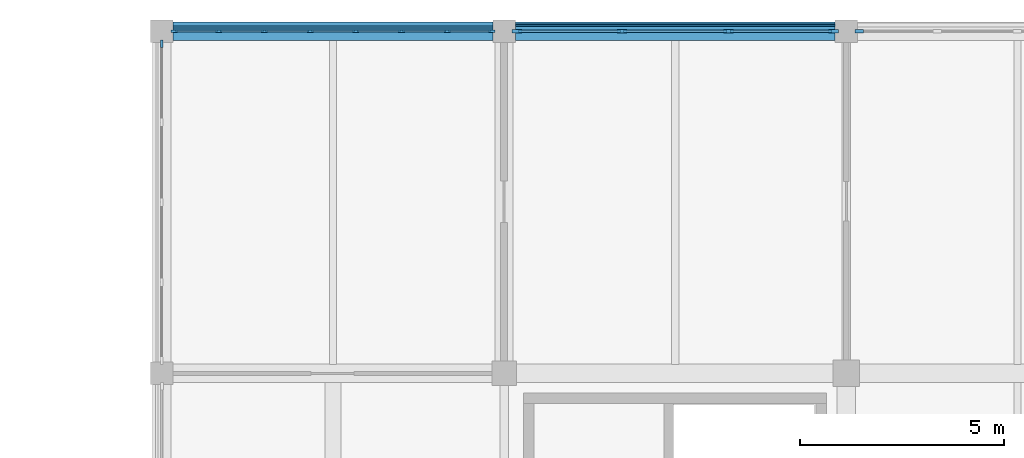
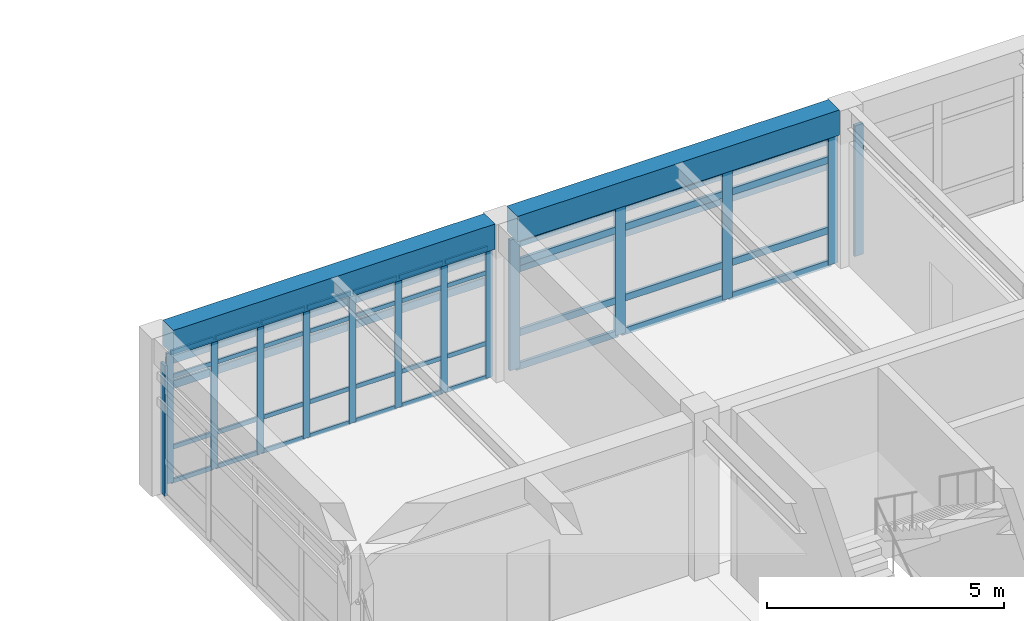
# One storey, part 5 of 18: 58 members, 2 beams, 4 elements without a shape of their own.
"""IFC4 building model written with IfcOpenShell, lengths in metres."""

from ifc_helpers import new_model, si_unit, direction, frame, origin, origin_2d, place, context, subcontext, project, spatial, rectangle, extrude, material, layer, layer_set, material_profile, profile_set, type_object, element, aggregate, save


model = new_model("IFC4")

# Units and contexts
model_context = context("Model", 3, precision=1e-05, world=origin(), true_north=direction((0.0, 1.0)))
body_context = subcontext(model_context, "Body", "Model", "MODEL_VIEW")
ifc_project = project(units=[si_unit("LENGTHUNIT", "METRE"), si_unit("AREAUNIT", "SQUARE_METRE"), si_unit("VOLUMEUNIT", "CUBIC_METRE"), si_unit("PLANEANGLEUNIT", "RADIAN"), si_unit("MASSUNIT", "GRAM", prefix="KILO")], contexts=[model_context])

# Site, building, storey
site_placement = place(None, origin())
site = spatial("IfcSite", under=ifc_project, at=site_placement, CompositionType="ELEMENT")
building_placement = place(site_placement, origin())
building = spatial("IfcBuilding", under=site, at=building_placement, Name="Porcellanite Civic Hall", CompositionType="ELEMENT")
storey_placement = place(building_placement, frame((0.0, 0.0, 23.39990234375)))
storey = spatial("IfcBuildingStorey", under=building, at=storey_placement, Name="L05", CompositionType="ELEMENT", Elevation=23.39990234375)

# Beams
ifc_material_1 = material(Name="Concrete N50 (50 MPa)", Category="concrete")
ifc_material_profile_1 = material_profile(ifc_material_1, rectangle(XDim=0.449951171875, YDim=0.64990234375, at=origin_2d()), Name="RC-450x650")
ifc_profile_set_1 = profile_set([ifc_material_profile_1], Name="Concrete N50 (50 MPa)")
beam_type = type_object("IfcBeamType", Name="BM-RC650", PredefinedType="SPANDREL", material=ifc_profile_set_1)
beam_1_placement = place(storey_placement, frame((42.2744140625, 117.60009765625, 3.7451171875), z_axis=(1.0, 0.0, 0.0), x_axis=(0.0, 1.0, 0.0)))
element("IfcBeam", 1, at=beam_1_placement, inside=storey, type_object=beam_type, Name="Beam X L05 6-15", PredefinedType="SPANDREL", context=body_context, shape_type="SweptSolid", body=[
    extrude(rectangle(XDim=0.449951171875, YDim=0.64990234375, at=origin_2d()), origin(), (0.0, 0.0, 1.0), 7.85107421875),
])
beam_2_placement = place(storey_placement, frame((50.674560546875, 117.60009765625, 3.7451171875), z_axis=(1.0, 0.0, 0.0), x_axis=(0.0, 1.0, 0.0)))
element("IfcBeam", 2, at=beam_2_placement, inside=storey, type_object=beam_type, Name="Beam X L05 7-15", PredefinedType="SPANDREL", context=body_context, shape_type="SweptSolid", body=[
    extrude(rectangle(XDim=0.449951171875, YDim=0.64990234375, at=origin_2d()), origin(), (0.0, 0.0, 1.0), 7.850830078125),
])

# Curtain wall, members
ifc_material_2 = material(Name="Anodised aluminium and solar laminated glass", Category="aluminium")
ifc_layer_1 = layer(ifc_material_2, 0.179931640625)
ifc_layer_set_1 = layer_set([ifc_layer_1], Name="Anodised aluminium and solar laminated glass")
curtain_wall_type_1 = type_object("IfcCurtainWallType", Name="CW-SYS08", PredefinedType="NOTDEFINED", material=ifc_layer_set_1)
curtain_wall_1_placement = place(storey_placement, origin())
curtain_wall_1 = element("IfcCurtainWall", 3, at=curtain_wall_1_placement, inside=storey, type_object=curtain_wall_type_1, Name="Curtain wall CW-262", PredefinedType="NOTDEFINED")
ifc_material_3 = material(Name="Anodised aluminium 6063-T6", Category="aluminium")
ifc_material_profile_2 = material_profile(ifc_material_3, rectangle(XDim=0.080078125, YDim=0.239990234375, at=origin_2d()), Name="AL-80x240")
ifc_profile_set_2 = profile_set([ifc_material_profile_2], Name="Anodised aluminium 6063-T6")
member_type_1 = type_object("IfcMemberType", Name="CWM-01", PredefinedType="MULLION", material=ifc_profile_set_2)
member_1_placement = place(storey_placement, frame((50.716064453125, 117.60009765625, 0.0), z_axis=(0.0, 0.0, 1.0), x_axis=(0.0, 1.0, 0.0)))
member_1 = element("IfcMember", 4, at=member_1_placement, type_object=member_type_1, Name="CW-262 mullion 1", PredefinedType="MULLION", context=body_context, shape_type="SweptSolid", body=[
    extrude(rectangle(XDim=0.080078125, YDim=0.239990234375, at=origin_2d()), origin(), (0.0, 0.0, 1.0), 3.3701171875),
])
member_2_placement = place(storey_placement, frame((53.2919921875, 117.60009765625, 0.0), z_axis=(0.0, 0.0, 1.0), x_axis=(0.0, 1.0, 0.0)))
member_2 = element("IfcMember", 5, at=member_2_placement, type_object=member_type_1, Name="CW-262 mullion 2", PredefinedType="MULLION", context=body_context, shape_type="SweptSolid", body=[
    extrude(rectangle(XDim=0.080078125, YDim=0.239990234375, at=origin_2d()), origin(), (0.0, 0.0, 1.0), 3.3701171875),
])
member_3_placement = place(storey_placement, frame((55.907958984375, 117.60009765625, 0.0), z_axis=(0.0, 0.0, 1.0), x_axis=(0.0, 1.0, 0.0)))
member_3 = element("IfcMember", 6, at=member_3_placement, type_object=member_type_1, Name="CW-262 mullion 3", PredefinedType="MULLION", context=body_context, shape_type="SweptSolid", body=[
    extrude(rectangle(XDim=0.080078125, YDim=0.239990234375, at=origin_2d()), origin(), (0.0, 0.0, 1.0), 3.3701171875),
])
member_4_placement = place(storey_placement, frame((58.48388671875, 117.60009765625, 0.0), z_axis=(0.0, 0.0, 1.0), x_axis=(0.0, 1.0, 0.0)))
member_4 = element("IfcMember", 7, at=member_4_placement, type_object=member_type_1, Name="CW-262 mullion 4", PredefinedType="MULLION", context=body_context, shape_type="SweptSolid", body=[
    extrude(rectangle(XDim=0.080078125, YDim=0.239990234375, at=origin_2d()), origin(), (0.0, 0.0, 1.0), 3.3701171875),
])

# Curtain wall, member
ifc_material_4 = material(Name="Anodised aluminium and solar laminated glass", Category="aluminium")
ifc_layer_2 = layer(ifc_material_4, 0.179931640625)
ifc_layer_set_2 = layer_set([ifc_layer_2], Name="Anodised aluminium and solar laminated glass")
curtain_wall_type_2 = type_object("IfcCurtainWallType", Name="CW-SYS03", PredefinedType="NOTDEFINED", material=ifc_layer_set_2)
curtain_wall_2_placement = place(storey_placement, origin())
curtain_wall_2 = element("IfcCurtainWall", 8, at=curtain_wall_2_placement, inside=storey, type_object=curtain_wall_type_2, Name="Curtain wall CW-264", PredefinedType="NOTDEFINED")
ifc_material_5 = material(Name="Anodised aluminium 6063-T6", Category="aluminium")
ifc_material_profile_3 = material_profile(ifc_material_5, rectangle(XDim=0.080078125, YDim=0.2099609375, at=origin_2d()), Name="AL-80x210")
ifc_profile_set_3 = profile_set([ifc_material_profile_3], Name="Anodised aluminium 6063-T6")
member_type_2 = type_object("IfcMemberType", Name="CWM-02", PredefinedType="MULLION", material=ifc_profile_set_3)
member_5_placement = place(storey_placement, frame((59.115966796875, 117.60009765625, 0.0), z_axis=(0.0, 0.0, 1.0), x_axis=(0.0, 1.0, 0.0)))
member_5 = element("IfcMember", 9, at=member_5_placement, type_object=member_type_2, Name="CW-264 mullion 1", PredefinedType="MULLION", context=body_context, shape_type="SweptSolid", body=[
    extrude(rectangle(XDim=0.080078125, YDim=0.2099609375, at=origin_2d()), origin(), (0.0, 0.0, 1.0), 3.3701171875),
])
aggregate(curtain_wall_2, [member_5])

ifc_material_6 = material(Name="Anodised aluminium and solar laminated glass", Category="aluminium")
ifc_layer_3 = layer(ifc_material_6, 0.179931640625)
ifc_layer_set_3 = layer_set([ifc_layer_3], Name="Anodised aluminium and solar laminated glass")
curtain_wall_type_3 = type_object("IfcCurtainWallType", Name="CW-SYS06", PredefinedType="NOTDEFINED", material=ifc_layer_set_3)
curtain_wall_3_placement = place(storey_placement, origin())
curtain_wall_3 = element("IfcCurtainWall", 10, at=curtain_wall_3_placement, inside=storey, type_object=curtain_wall_type_3, Name="Curtain wall CW-260", PredefinedType="NOTDEFINED")
ifc_material_7 = material(Name="Anodised aluminium 6063-T6", Category="aluminium")
ifc_material_profile_4 = material_profile(ifc_material_7, rectangle(XDim=0.06494140625, YDim=0.179931640625, at=origin_2d()), Name="AL-65x180")
ifc_profile_set_4 = profile_set([ifc_material_profile_4], Name="Anodised aluminium 6063-T6")
member_type_3 = type_object("IfcMemberType", Name="CWM-06", PredefinedType="MULLION", material=ifc_profile_set_4)
member_6_placement = place(storey_placement, frame((42.0, 117.29150390625, 0.0), z_axis=(0.0, 0.0, 1.0), x_axis=(-1.0, 0.0, 0.0)))
member_6 = element("IfcMember", 11, at=member_6_placement, type_object=member_type_3, Name="CW-260 mullion 5", PredefinedType="MULLION", context=body_context, shape_type="SweptSolid", body=[
    extrude(rectangle(XDim=0.06494140625, YDim=0.179931640625, at=origin_2d()), origin(), (0.0, 0.0, 1.0), 3.3701171875),
])
aggregate(curtain_wall_3, [member_6])

# Curtain wall, members
ifc_material_8 = material(Name="Anodised aluminium and solar laminated glass", Category="aluminium")
ifc_layer_4 = layer(ifc_material_8, 0.179931640625)
ifc_layer_set_4 = layer_set([ifc_layer_4], Name="Anodised aluminium and solar laminated glass")
curtain_wall_type_4 = type_object("IfcCurtainWallType", Name="CW-SYS07", PredefinedType="NOTDEFINED", material=ifc_layer_set_4)
curtain_wall_4_placement = place(storey_placement, origin())
curtain_wall_4 = element("IfcCurtainWall", 12, at=curtain_wall_4_placement, inside=storey, type_object=curtain_wall_type_4, Name="Curtain wall CW-261", PredefinedType="NOTDEFINED")
ifc_material_9 = material(Name="Anodised aluminium 6063-T6", Category="aluminium")
ifc_material_profile_5 = material_profile(ifc_material_9, rectangle(XDim=0.06005859375, YDim=0.159912109375, at=origin_2d()), Name="AL-60x160")
ifc_profile_set_5 = profile_set([ifc_material_profile_5], Name="Anodised aluminium 6063-T6")
member_type_4 = type_object("IfcMemberType", Name="CWM-07", PredefinedType="MULLION", material=ifc_profile_set_5)
member_7_placement = place(storey_placement, frame((42.305908203125, 117.60009765625, 0.0), z_axis=(0.0, 0.0, 1.0), x_axis=(0.0, 1.0, 0.0)))
member_7 = element("IfcMember", 13, at=member_7_placement, type_object=member_type_4, Name="CW-261 mullion 1", PredefinedType="MULLION", context=body_context, shape_type="SweptSolid", body=[
    extrude(rectangle(XDim=0.06005859375, YDim=0.159912109375, at=origin_2d()), origin(), (0.0, 0.0, 1.0), 3.3701171875),
])
member_8_placement = place(storey_placement, frame((43.397216796875, 117.60009765625, 0.0), z_axis=(0.0, 0.0, 1.0), x_axis=(0.0, 1.0, 0.0)))
member_8 = element("IfcMember", 14, at=member_8_placement, type_object=member_type_4, Name="CW-261 mullion 2", PredefinedType="MULLION", context=body_context, shape_type="SweptSolid", body=[
    extrude(rectangle(XDim=0.06005859375, YDim=0.159912109375, at=origin_2d()), origin(), (0.0, 0.0, 1.0), 3.3701171875),
])
member_9_placement = place(storey_placement, frame((44.518310546875, 117.60009765625, 0.0), z_axis=(0.0, 0.0, 1.0), x_axis=(0.0, 1.0, 0.0)))
member_9 = element("IfcMember", 15, at=member_9_placement, type_object=member_type_4, Name="CW-261 mullion 3", PredefinedType="MULLION", context=body_context, shape_type="SweptSolid", body=[
    extrude(rectangle(XDim=0.06005859375, YDim=0.159912109375, at=origin_2d()), origin(), (0.0, 0.0, 1.0), 3.3701171875),
])
member_10_placement = place(storey_placement, frame((45.639404296875, 117.60009765625, 0.0), z_axis=(0.0, 0.0, 1.0), x_axis=(0.0, 1.0, 0.0)))
member_10 = element("IfcMember", 16, at=member_10_placement, type_object=member_type_4, Name="CW-261 mullion 4", PredefinedType="MULLION", context=body_context, shape_type="SweptSolid", body=[
    extrude(rectangle(XDim=0.06005859375, YDim=0.159912109375, at=origin_2d()), origin(), (0.0, 0.0, 1.0), 3.3701171875),
])
member_11_placement = place(storey_placement, frame((46.760498046875, 117.60009765625, 0.0), z_axis=(0.0, 0.0, 1.0), x_axis=(0.0, 1.0, 0.0)))
member_11 = element("IfcMember", 17, at=member_11_placement, type_object=member_type_4, Name="CW-261 mullion 5", PredefinedType="MULLION", context=body_context, shape_type="SweptSolid", body=[
    extrude(rectangle(XDim=0.06005859375, YDim=0.159912109375, at=origin_2d()), origin(), (0.0, 0.0, 1.0), 3.3701171875),
])
member_12_placement = place(storey_placement, frame((47.8818359375, 117.60009765625, 0.0), z_axis=(0.0, 0.0, 1.0), x_axis=(0.0, 1.0, 0.0)))
member_12 = element("IfcMember", 18, at=member_12_placement, type_object=member_type_4, Name="CW-261 mullion 6", PredefinedType="MULLION", context=body_context, shape_type="SweptSolid", body=[
    extrude(rectangle(XDim=0.06005859375, YDim=0.159912109375, at=origin_2d()), origin(), (0.0, 0.0, 1.0), 3.3701171875),
])
member_13_placement = place(storey_placement, frame((49.0029296875, 117.60009765625, 0.0), z_axis=(0.0, 0.0, 1.0), x_axis=(0.0, 1.0, 0.0)))
member_13 = element("IfcMember", 19, at=member_13_placement, type_object=member_type_4, Name="CW-261 mullion 7", PredefinedType="MULLION", context=body_context, shape_type="SweptSolid", body=[
    extrude(rectangle(XDim=0.06005859375, YDim=0.159912109375, at=origin_2d()), origin(), (0.0, 0.0, 1.0), 3.3701171875),
])
member_14_placement = place(storey_placement, frame((50.093994140625, 117.60009765625, 0.0), z_axis=(0.0, 0.0, 1.0), x_axis=(0.0, 1.0, 0.0)))
member_14 = element("IfcMember", 20, at=member_14_placement, type_object=member_type_4, Name="CW-261 mullion 8", PredefinedType="MULLION", context=body_context, shape_type="SweptSolid", body=[
    extrude(rectangle(XDim=0.06005859375, YDim=0.159912109375, at=origin_2d()), origin(), (0.0, 0.0, 1.0), 3.3701171875),
])

# Member
ifc_material_10 = material(Name="Anodised aluminium 6063-T6", Category="aluminium")
ifc_material_profile_6 = material_profile(ifc_material_10, rectangle(XDim=0.070068359375, YDim=0.175048828125, at=origin_2d()), Name="AL-70x175")
ifc_profile_set_6 = profile_set([ifc_material_profile_6], Name="Anodised aluminium 6063-T6")
member_type_5 = type_object("IfcMemberType", Name="CWT-01", PredefinedType="USERDEFINED", material=ifc_profile_set_6)
member_15_placement = place(storey_placement, frame((50.756103515625, 117.60009765625, 0.03515625), z_axis=(1.0, 0.0, 0.0), x_axis=(0.0, 1.0, 0.0)))
member_15 = element("IfcMember", 21, at=member_15_placement, type_object=member_type_5, Name="CW-262 transom 1.1", ObjectType="TRANSOM", PredefinedType="USERDEFINED", context=body_context, shape_type="SweptSolid", body=[
    extrude(rectangle(XDim=0.070068359375, YDim=0.175048828125, at=origin_2d()), origin(), (0.0, 0.0, 1.0), 2.495849609375),
])

member_16_placement = place(storey_placement, frame((50.756103515625, 117.60009765625, 0.900146484375), z_axis=(1.0, 0.0, 0.0), x_axis=(0.0, 1.0, 0.0)))
member_16 = element("IfcMember", 22, at=member_16_placement, type_object=member_type_5, Name="CW-262 transom 1.2", ObjectType="TRANSOM", PredefinedType="USERDEFINED", context=body_context, shape_type="SweptSolid", body=[
    extrude(rectangle(XDim=0.070068359375, YDim=0.175048828125, at=origin_2d()), origin(), (0.0, 0.0, 1.0), 2.495849609375),
])

member_17_placement = place(storey_placement, frame((50.756103515625, 117.60009765625, 2.72021484375), z_axis=(1.0, 0.0, 0.0), x_axis=(0.0, 1.0, 0.0)))
member_17 = element("IfcMember", 23, at=member_17_placement, type_object=member_type_5, Name="CW-262 transom 1.3", ObjectType="TRANSOM", PredefinedType="USERDEFINED", context=body_context, shape_type="SweptSolid", body=[
    extrude(rectangle(XDim=0.070068359375, YDim=0.175048828125, at=origin_2d()), origin(), (0.0, 0.0, 1.0), 2.495849609375),
])

member_18_placement = place(storey_placement, frame((50.756103515625, 117.60009765625, 3.335205078125), z_axis=(1.0, 0.0, 0.0), x_axis=(0.0, 1.0, 0.0)))
member_18 = element("IfcMember", 24, at=member_18_placement, type_object=member_type_5, Name="CW-262 transom 1.4", ObjectType="TRANSOM", PredefinedType="USERDEFINED", context=body_context, shape_type="SweptSolid", body=[
    extrude(rectangle(XDim=0.070068359375, YDim=0.175048828125, at=origin_2d()), origin(), (0.0, 0.0, 1.0), 2.495849609375),
])

member_19_placement = place(storey_placement, frame((53.33203125, 117.60009765625, 0.03515625), z_axis=(1.0, 0.0, 0.0), x_axis=(0.0, 1.0, 0.0)))
member_19 = element("IfcMember", 25, at=member_19_placement, type_object=member_type_5, Name="CW-262 transom 2.1", ObjectType="TRANSOM", PredefinedType="USERDEFINED", context=body_context, shape_type="SweptSolid", body=[
    extrude(rectangle(XDim=0.070068359375, YDim=0.175048828125, at=origin_2d()), origin(), (0.0, 0.0, 1.0), 2.535888671875),
])

member_20_placement = place(storey_placement, frame((53.33203125, 117.60009765625, 0.900146484375), z_axis=(1.0, 0.0, 0.0), x_axis=(0.0, 1.0, 0.0)))
member_20 = element("IfcMember", 26, at=member_20_placement, type_object=member_type_5, Name="CW-262 transom 2.2", ObjectType="TRANSOM", PredefinedType="USERDEFINED", context=body_context, shape_type="SweptSolid", body=[
    extrude(rectangle(XDim=0.070068359375, YDim=0.175048828125, at=origin_2d()), origin(), (0.0, 0.0, 1.0), 2.535888671875),
])

member_21_placement = place(storey_placement, frame((53.33203125, 117.60009765625, 2.72021484375), z_axis=(1.0, 0.0, 0.0), x_axis=(0.0, 1.0, 0.0)))
member_21 = element("IfcMember", 27, at=member_21_placement, type_object=member_type_5, Name="CW-262 transom 2.3", ObjectType="TRANSOM", PredefinedType="USERDEFINED", context=body_context, shape_type="SweptSolid", body=[
    extrude(rectangle(XDim=0.070068359375, YDim=0.175048828125, at=origin_2d()), origin(), (0.0, 0.0, 1.0), 2.535888671875),
])

member_22_placement = place(storey_placement, frame((53.33203125, 117.60009765625, 3.335205078125), z_axis=(1.0, 0.0, 0.0), x_axis=(0.0, 1.0, 0.0)))
member_22 = element("IfcMember", 28, at=member_22_placement, type_object=member_type_5, Name="CW-262 transom 2.4", ObjectType="TRANSOM", PredefinedType="USERDEFINED", context=body_context, shape_type="SweptSolid", body=[
    extrude(rectangle(XDim=0.070068359375, YDim=0.175048828125, at=origin_2d()), origin(), (0.0, 0.0, 1.0), 2.535888671875),
])

member_23_placement = place(storey_placement, frame((55.947998046875, 117.60009765625, 0.03515625), z_axis=(1.0, 0.0, 0.0), x_axis=(0.0, 1.0, 0.0)))
member_23 = element("IfcMember", 29, at=member_23_placement, type_object=member_type_5, Name="CW-262 transom 3.1", ObjectType="TRANSOM", PredefinedType="USERDEFINED", context=body_context, shape_type="SweptSolid", body=[
    extrude(rectangle(XDim=0.070068359375, YDim=0.175048828125, at=origin_2d()), origin(), (0.0, 0.0, 1.0), 2.49609375),
])

member_24_placement = place(storey_placement, frame((55.947998046875, 117.60009765625, 0.900146484375), z_axis=(1.0, 0.0, 0.0), x_axis=(0.0, 1.0, 0.0)))
member_24 = element("IfcMember", 30, at=member_24_placement, type_object=member_type_5, Name="CW-262 transom 3.2", ObjectType="TRANSOM", PredefinedType="USERDEFINED", context=body_context, shape_type="SweptSolid", body=[
    extrude(rectangle(XDim=0.070068359375, YDim=0.175048828125, at=origin_2d()), origin(), (0.0, 0.0, 1.0), 2.49609375),
])

member_25_placement = place(storey_placement, frame((55.947998046875, 117.60009765625, 2.72021484375), z_axis=(1.0, 0.0, 0.0), x_axis=(0.0, 1.0, 0.0)))
member_25 = element("IfcMember", 31, at=member_25_placement, type_object=member_type_5, Name="CW-262 transom 3.3", ObjectType="TRANSOM", PredefinedType="USERDEFINED", context=body_context, shape_type="SweptSolid", body=[
    extrude(rectangle(XDim=0.070068359375, YDim=0.175048828125, at=origin_2d()), origin(), (0.0, 0.0, 1.0), 2.49609375),
])

member_26_placement = place(storey_placement, frame((55.947998046875, 117.60009765625, 3.335205078125), z_axis=(1.0, 0.0, 0.0), x_axis=(0.0, 1.0, 0.0)))
member_26 = element("IfcMember", 32, at=member_26_placement, type_object=member_type_5, Name="CW-262 transom 3.4", ObjectType="TRANSOM", PredefinedType="USERDEFINED", context=body_context, shape_type="SweptSolid", body=[
    extrude(rectangle(XDim=0.070068359375, YDim=0.175048828125, at=origin_2d()), origin(), (0.0, 0.0, 1.0), 2.49609375),
])

aggregate(curtain_wall_1, [member_1, member_2, member_3, member_4, member_15, member_16, member_17, member_18, member_19, member_20, member_21, member_22, member_23, member_24, member_25, member_26])

ifc_material_11 = material(Name="Anodised aluminium 6063-T6", Category="aluminium")
ifc_material_profile_7 = material_profile(ifc_material_11, rectangle(XDim=0.050048828125, YDim=0.110107421875, at=origin_2d()), Name="AL-50x110")
ifc_profile_set_7 = profile_set([ifc_material_profile_7], Name="Anodised aluminium 6063-T6")
member_type_6 = type_object("IfcMemberType", Name="CWT-07", PredefinedType="USERDEFINED", material=ifc_profile_set_7)
member_27_placement = place(storey_placement, frame((42.3359375, 117.60009765625, 0.025146484375), z_axis=(1.0, 0.0, 0.0), x_axis=(0.0, 1.0, 0.0)))
member_27 = element("IfcMember", 33, at=member_27_placement, type_object=member_type_6, Name="CW-261 transom 1.1", ObjectType="TRANSOM", PredefinedType="USERDEFINED", context=body_context, shape_type="SweptSolid", body=[
    extrude(rectangle(XDim=0.050048828125, YDim=0.110107421875, at=origin_2d()), origin(), (0.0, 0.0, 1.0), 1.03125),
])

member_28_placement = place(storey_placement, frame((42.3359375, 117.60009765625, 0.900146484375), z_axis=(1.0, 0.0, 0.0), x_axis=(0.0, 1.0, 0.0)))
member_28 = element("IfcMember", 34, at=member_28_placement, type_object=member_type_6, Name="CW-261 transom 1.2", ObjectType="TRANSOM", PredefinedType="USERDEFINED", context=body_context, shape_type="SweptSolid", body=[
    extrude(rectangle(XDim=0.050048828125, YDim=0.110107421875, at=origin_2d()), origin(), (0.0, 0.0, 1.0), 1.03125),
])

member_29_placement = place(storey_placement, frame((42.3359375, 117.60009765625, 2.72021484375), z_axis=(1.0, 0.0, 0.0), x_axis=(0.0, 1.0, 0.0)))
member_29 = element("IfcMember", 35, at=member_29_placement, type_object=member_type_6, Name="CW-261 transom 1.3", ObjectType="TRANSOM", PredefinedType="USERDEFINED", context=body_context, shape_type="SweptSolid", body=[
    extrude(rectangle(XDim=0.050048828125, YDim=0.110107421875, at=origin_2d()), origin(), (0.0, 0.0, 1.0), 1.03125),
])

member_30_placement = place(storey_placement, frame((42.3359375, 117.60009765625, 3.34521484375), z_axis=(1.0, 0.0, 0.0), x_axis=(0.0, 1.0, 0.0)))
member_30 = element("IfcMember", 36, at=member_30_placement, type_object=member_type_6, Name="CW-261 transom 1.4", ObjectType="TRANSOM", PredefinedType="USERDEFINED", context=body_context, shape_type="SweptSolid", body=[
    extrude(rectangle(XDim=0.050048828125, YDim=0.110107421875, at=origin_2d()), origin(), (0.0, 0.0, 1.0), 1.03125),
])

member_31_placement = place(storey_placement, frame((43.42724609375, 117.60009765625, 0.025146484375), z_axis=(1.0, 0.0, 0.0), x_axis=(0.0, 1.0, 0.0)))
member_31 = element("IfcMember", 37, at=member_31_placement, type_object=member_type_6, Name="CW-261 transom 2.1", ObjectType="TRANSOM", PredefinedType="USERDEFINED", context=body_context, shape_type="SweptSolid", body=[
    extrude(rectangle(XDim=0.050048828125, YDim=0.110107421875, at=origin_2d()), origin(), (0.0, 0.0, 1.0), 1.06103515625),
])

member_32_placement = place(storey_placement, frame((43.42724609375, 117.60009765625, 0.900146484375), z_axis=(1.0, 0.0, 0.0), x_axis=(0.0, 1.0, 0.0)))
member_32 = element("IfcMember", 38, at=member_32_placement, type_object=member_type_6, Name="CW-261 transom 2.2", ObjectType="TRANSOM", PredefinedType="USERDEFINED", context=body_context, shape_type="SweptSolid", body=[
    extrude(rectangle(XDim=0.050048828125, YDim=0.110107421875, at=origin_2d()), origin(), (0.0, 0.0, 1.0), 1.06103515625),
])

member_33_placement = place(storey_placement, frame((43.42724609375, 117.60009765625, 2.72021484375), z_axis=(1.0, 0.0, 0.0), x_axis=(0.0, 1.0, 0.0)))
member_33 = element("IfcMember", 39, at=member_33_placement, type_object=member_type_6, Name="CW-261 transom 2.3", ObjectType="TRANSOM", PredefinedType="USERDEFINED", context=body_context, shape_type="SweptSolid", body=[
    extrude(rectangle(XDim=0.050048828125, YDim=0.110107421875, at=origin_2d()), origin(), (0.0, 0.0, 1.0), 1.06103515625),
])

member_34_placement = place(storey_placement, frame((43.42724609375, 117.60009765625, 3.34521484375), z_axis=(1.0, 0.0, 0.0), x_axis=(0.0, 1.0, 0.0)))
member_34 = element("IfcMember", 40, at=member_34_placement, type_object=member_type_6, Name="CW-261 transom 2.4", ObjectType="TRANSOM", PredefinedType="USERDEFINED", context=body_context, shape_type="SweptSolid", body=[
    extrude(rectangle(XDim=0.050048828125, YDim=0.110107421875, at=origin_2d()), origin(), (0.0, 0.0, 1.0), 1.06103515625),
])

member_35_placement = place(storey_placement, frame((44.54833984375, 117.60009765625, 0.025146484375), z_axis=(1.0, 0.0, 0.0), x_axis=(0.0, 1.0, 0.0)))
member_35 = element("IfcMember", 41, at=member_35_placement, type_object=member_type_6, Name="CW-261 transom 3.1", ObjectType="TRANSOM", PredefinedType="USERDEFINED", context=body_context, shape_type="SweptSolid", body=[
    extrude(rectangle(XDim=0.050048828125, YDim=0.110107421875, at=origin_2d()), origin(), (0.0, 0.0, 1.0), 1.06103515625),
])

member_36_placement = place(storey_placement, frame((44.54833984375, 117.60009765625, 0.900146484375), z_axis=(1.0, 0.0, 0.0), x_axis=(0.0, 1.0, 0.0)))
member_36 = element("IfcMember", 42, at=member_36_placement, type_object=member_type_6, Name="CW-261 transom 3.2", ObjectType="TRANSOM", PredefinedType="USERDEFINED", context=body_context, shape_type="SweptSolid", body=[
    extrude(rectangle(XDim=0.050048828125, YDim=0.110107421875, at=origin_2d()), origin(), (0.0, 0.0, 1.0), 1.06103515625),
])

member_37_placement = place(storey_placement, frame((44.54833984375, 117.60009765625, 2.72021484375), z_axis=(1.0, 0.0, 0.0), x_axis=(0.0, 1.0, 0.0)))
member_37 = element("IfcMember", 43, at=member_37_placement, type_object=member_type_6, Name="CW-261 transom 3.3", ObjectType="TRANSOM", PredefinedType="USERDEFINED", context=body_context, shape_type="SweptSolid", body=[
    extrude(rectangle(XDim=0.050048828125, YDim=0.110107421875, at=origin_2d()), origin(), (0.0, 0.0, 1.0), 1.06103515625),
])

member_38_placement = place(storey_placement, frame((44.54833984375, 117.60009765625, 3.34521484375), z_axis=(1.0, 0.0, 0.0), x_axis=(0.0, 1.0, 0.0)))
member_38 = element("IfcMember", 44, at=member_38_placement, type_object=member_type_6, Name="CW-261 transom 3.4", ObjectType="TRANSOM", PredefinedType="USERDEFINED", context=body_context, shape_type="SweptSolid", body=[
    extrude(rectangle(XDim=0.050048828125, YDim=0.110107421875, at=origin_2d()), origin(), (0.0, 0.0, 1.0), 1.06103515625),
])

member_39_placement = place(storey_placement, frame((45.66943359375, 117.60009765625, 0.025146484375), z_axis=(1.0, 0.0, 0.0), x_axis=(0.0, 1.0, 0.0)))
member_39 = element("IfcMember", 45, at=member_39_placement, type_object=member_type_6, Name="CW-261 transom 4.1", ObjectType="TRANSOM", PredefinedType="USERDEFINED", context=body_context, shape_type="SweptSolid", body=[
    extrude(rectangle(XDim=0.050048828125, YDim=0.110107421875, at=origin_2d()), origin(), (0.0, 0.0, 1.0), 1.06103515625),
])

member_40_placement = place(storey_placement, frame((45.66943359375, 117.60009765625, 0.900146484375), z_axis=(1.0, 0.0, 0.0), x_axis=(0.0, 1.0, 0.0)))
member_40 = element("IfcMember", 46, at=member_40_placement, type_object=member_type_6, Name="CW-261 transom 4.2", ObjectType="TRANSOM", PredefinedType="USERDEFINED", context=body_context, shape_type="SweptSolid", body=[
    extrude(rectangle(XDim=0.050048828125, YDim=0.110107421875, at=origin_2d()), origin(), (0.0, 0.0, 1.0), 1.06103515625),
])

member_41_placement = place(storey_placement, frame((45.66943359375, 117.60009765625, 2.72021484375), z_axis=(1.0, 0.0, 0.0), x_axis=(0.0, 1.0, 0.0)))
member_41 = element("IfcMember", 47, at=member_41_placement, type_object=member_type_6, Name="CW-261 transom 4.3", ObjectType="TRANSOM", PredefinedType="USERDEFINED", context=body_context, shape_type="SweptSolid", body=[
    extrude(rectangle(XDim=0.050048828125, YDim=0.110107421875, at=origin_2d()), origin(), (0.0, 0.0, 1.0), 1.06103515625),
])

member_42_placement = place(storey_placement, frame((45.66943359375, 117.60009765625, 3.34521484375), z_axis=(1.0, 0.0, 0.0), x_axis=(0.0, 1.0, 0.0)))
member_42 = element("IfcMember", 48, at=member_42_placement, type_object=member_type_6, Name="CW-261 transom 4.4", ObjectType="TRANSOM", PredefinedType="USERDEFINED", context=body_context, shape_type="SweptSolid", body=[
    extrude(rectangle(XDim=0.050048828125, YDim=0.110107421875, at=origin_2d()), origin(), (0.0, 0.0, 1.0), 1.06103515625),
])

member_43_placement = place(storey_placement, frame((46.79052734375, 117.60009765625, 0.025146484375), z_axis=(1.0, 0.0, 0.0), x_axis=(0.0, 1.0, 0.0)))
member_43 = element("IfcMember", 49, at=member_43_placement, type_object=member_type_6, Name="CW-261 transom 5.1", ObjectType="TRANSOM", PredefinedType="USERDEFINED", context=body_context, shape_type="SweptSolid", body=[
    extrude(rectangle(XDim=0.050048828125, YDim=0.110107421875, at=origin_2d()), origin(), (0.0, 0.0, 1.0), 1.061279296875),
])

member_44_placement = place(storey_placement, frame((46.79052734375, 117.60009765625, 0.900146484375), z_axis=(1.0, 0.0, 0.0), x_axis=(0.0, 1.0, 0.0)))
member_44 = element("IfcMember", 50, at=member_44_placement, type_object=member_type_6, Name="CW-261 transom 5.2", ObjectType="TRANSOM", PredefinedType="USERDEFINED", context=body_context, shape_type="SweptSolid", body=[
    extrude(rectangle(XDim=0.050048828125, YDim=0.110107421875, at=origin_2d()), origin(), (0.0, 0.0, 1.0), 1.061279296875),
])

member_45_placement = place(storey_placement, frame((46.79052734375, 117.60009765625, 2.72021484375), z_axis=(1.0, 0.0, 0.0), x_axis=(0.0, 1.0, 0.0)))
member_45 = element("IfcMember", 51, at=member_45_placement, type_object=member_type_6, Name="CW-261 transom 5.3", ObjectType="TRANSOM", PredefinedType="USERDEFINED", context=body_context, shape_type="SweptSolid", body=[
    extrude(rectangle(XDim=0.050048828125, YDim=0.110107421875, at=origin_2d()), origin(), (0.0, 0.0, 1.0), 1.061279296875),
])

member_46_placement = place(storey_placement, frame((46.79052734375, 117.60009765625, 3.34521484375), z_axis=(1.0, 0.0, 0.0), x_axis=(0.0, 1.0, 0.0)))
member_46 = element("IfcMember", 52, at=member_46_placement, type_object=member_type_6, Name="CW-261 transom 5.4", ObjectType="TRANSOM", PredefinedType="USERDEFINED", context=body_context, shape_type="SweptSolid", body=[
    extrude(rectangle(XDim=0.050048828125, YDim=0.110107421875, at=origin_2d()), origin(), (0.0, 0.0, 1.0), 1.061279296875),
])

member_47_placement = place(storey_placement, frame((47.91162109375, 117.60009765625, 0.025146484375), z_axis=(1.0, 0.0, 0.0), x_axis=(0.0, 1.0, 0.0)))
member_47 = element("IfcMember", 53, at=member_47_placement, type_object=member_type_6, Name="CW-261 transom 6.1", ObjectType="TRANSOM", PredefinedType="USERDEFINED", context=body_context, shape_type="SweptSolid", body=[
    extrude(rectangle(XDim=0.050048828125, YDim=0.110107421875, at=origin_2d()), origin(), (0.0, 0.0, 1.0), 1.061279296875),
])

member_48_placement = place(storey_placement, frame((47.91162109375, 117.60009765625, 0.900146484375), z_axis=(1.0, 0.0, 0.0), x_axis=(0.0, 1.0, 0.0)))
member_48 = element("IfcMember", 54, at=member_48_placement, type_object=member_type_6, Name="CW-261 transom 6.2", ObjectType="TRANSOM", PredefinedType="USERDEFINED", context=body_context, shape_type="SweptSolid", body=[
    extrude(rectangle(XDim=0.050048828125, YDim=0.110107421875, at=origin_2d()), origin(), (0.0, 0.0, 1.0), 1.061279296875),
])

member_49_placement = place(storey_placement, frame((47.91162109375, 117.60009765625, 2.72021484375), z_axis=(1.0, 0.0, 0.0), x_axis=(0.0, 1.0, 0.0)))
member_49 = element("IfcMember", 55, at=member_49_placement, type_object=member_type_6, Name="CW-261 transom 6.3", ObjectType="TRANSOM", PredefinedType="USERDEFINED", context=body_context, shape_type="SweptSolid", body=[
    extrude(rectangle(XDim=0.050048828125, YDim=0.110107421875, at=origin_2d()), origin(), (0.0, 0.0, 1.0), 1.061279296875),
])

member_50_placement = place(storey_placement, frame((47.91162109375, 117.60009765625, 3.34521484375), z_axis=(1.0, 0.0, 0.0), x_axis=(0.0, 1.0, 0.0)))
member_50 = element("IfcMember", 56, at=member_50_placement, type_object=member_type_6, Name="CW-261 transom 6.4", ObjectType="TRANSOM", PredefinedType="USERDEFINED", context=body_context, shape_type="SweptSolid", body=[
    extrude(rectangle(XDim=0.050048828125, YDim=0.110107421875, at=origin_2d()), origin(), (0.0, 0.0, 1.0), 1.061279296875),
])

member_51_placement = place(storey_placement, frame((49.032958984375, 117.60009765625, 0.025146484375), z_axis=(1.0, 0.0, 0.0), x_axis=(0.0, 1.0, 0.0)))
member_51 = element("IfcMember", 57, at=member_51_placement, type_object=member_type_6, Name="CW-261 transom 7.1", ObjectType="TRANSOM", PredefinedType="USERDEFINED", context=body_context, shape_type="SweptSolid", body=[
    extrude(rectangle(XDim=0.050048828125, YDim=0.110107421875, at=origin_2d()), origin(), (0.0, 0.0, 1.0), 1.031005859375),
])

member_52_placement = place(storey_placement, frame((49.032958984375, 117.60009765625, 0.900146484375), z_axis=(1.0, 0.0, 0.0), x_axis=(0.0, 1.0, 0.0)))
member_52 = element("IfcMember", 58, at=member_52_placement, type_object=member_type_6, Name="CW-261 transom 7.2", ObjectType="TRANSOM", PredefinedType="USERDEFINED", context=body_context, shape_type="SweptSolid", body=[
    extrude(rectangle(XDim=0.050048828125, YDim=0.110107421875, at=origin_2d()), origin(), (0.0, 0.0, 1.0), 1.031005859375),
])

member_53_placement = place(storey_placement, frame((49.032958984375, 117.60009765625, 2.72021484375), z_axis=(1.0, 0.0, 0.0), x_axis=(0.0, 1.0, 0.0)))
member_53 = element("IfcMember", 59, at=member_53_placement, type_object=member_type_6, Name="CW-261 transom 7.3", ObjectType="TRANSOM", PredefinedType="USERDEFINED", context=body_context, shape_type="SweptSolid", body=[
    extrude(rectangle(XDim=0.050048828125, YDim=0.110107421875, at=origin_2d()), origin(), (0.0, 0.0, 1.0), 1.031005859375),
])

member_54_placement = place(storey_placement, frame((49.032958984375, 117.60009765625, 3.34521484375), z_axis=(1.0, 0.0, 0.0), x_axis=(0.0, 1.0, 0.0)))
member_54 = element("IfcMember", 60, at=member_54_placement, type_object=member_type_6, Name="CW-261 transom 7.4", ObjectType="TRANSOM", PredefinedType="USERDEFINED", context=body_context, shape_type="SweptSolid", body=[
    extrude(rectangle(XDim=0.050048828125, YDim=0.110107421875, at=origin_2d()), origin(), (0.0, 0.0, 1.0), 1.031005859375),
])

aggregate(curtain_wall_4, [member_7, member_8, member_9, member_10, member_11, member_12, member_13, member_14, member_27, member_28, member_29, member_30, member_31, member_32, member_33, member_34, member_35, member_36, member_37, member_38, member_39, member_40, member_41, member_42, member_43, member_44, member_45, member_46, member_47, member_48, member_49, member_50, member_51, member_52, member_53, member_54])

# Members
ifc_material_12 = material(Name="Fluoropolymer bauxite-red aluminium 6063-T6", Category="aluminium")
ifc_material_profile_8 = material_profile(ifc_material_12, rectangle(XDim=0.050048828125, YDim=0.199951171875, at=origin_2d()), Name="AL-50x200")
ifc_profile_set_8 = profile_set([ifc_material_profile_8], Name="Fluoropolymer bauxite-red aluminium 6063-T6")
member_type_7 = type_object("IfcMemberType", Name="LV-BLD10", PredefinedType="USERDEFINED", material=ifc_profile_set_8)
for number, where, z_axis, x_axis, name in (
    (61, (42.2744140625, 117.70703125, 3.070068359375), (1.0, 0.0, 0.0), (0.0, 1.0, 0.0), "Cyclone sunshade louvre L05 N 5-13 1"),
    (62, (42.2744140625, 117.70703125, 2.420166015625), (1.0, 0.0, 0.0), (0.0, 1.0, 0.0), "Cyclone sunshade louvre L05 N 5-13 2"),
):
    element("IfcMember", number, at=place(storey_placement, frame(where, z_axis=z_axis, x_axis=x_axis)), inside=storey, type_object=member_type_7, Name=name, ObjectType="LOUVRE BLADE", PredefinedType="USERDEFINED", context=body_context, shape_type="SweptSolid", body=[
        extrude(rectangle(XDim=0.050048828125, YDim=0.199951171875, at=origin_2d()), origin(), (0.0, 0.0, 1.0), 7.85107421875),
    ])
ifc_material_13 = material(Name="Fluoropolymer bauxite-red aluminium 6063-T6", Category="aluminium")
ifc_material_profile_9 = material_profile(ifc_material_13, rectangle(XDim=0.044921875, YDim=0.159912109375, at=origin_2d()), Name="AL-45x160")
ifc_profile_set_9 = profile_set([ifc_material_profile_9], Name="Fluoropolymer bauxite-red aluminium 6063-T6")
member_type_8 = type_object("IfcMemberType", Name="LV-BLD11", PredefinedType="USERDEFINED", material=ifc_profile_set_9)
for number, where, z_axis, x_axis, name in (
    (63, (50.674560546875, 117.744384765625, 3.070068359375), (1.0, 0.0, 0.0), (0.0, 1.0, 0.0), "Cyclone sunshade louvre L05 N 6-13 1"),
    (64, (50.674560546875, 117.744384765625, 2.420166015625), (1.0, 0.0, 0.0), (0.0, 1.0, 0.0), "Cyclone sunshade louvre L05 N 6-13 2"),
):
    element("IfcMember", number, at=place(storey_placement, frame(where, z_axis=z_axis, x_axis=x_axis)), inside=storey, type_object=member_type_8, Name=name, ObjectType="LOUVRE BLADE", PredefinedType="USERDEFINED", context=body_context, shape_type="SweptSolid", body=[
        extrude(rectangle(XDim=0.044921875, YDim=0.159912109375, at=origin_2d()), origin(), (0.0, 0.0, 1.0), 7.850830078125),
    ])

save(model, "model.ifc")
